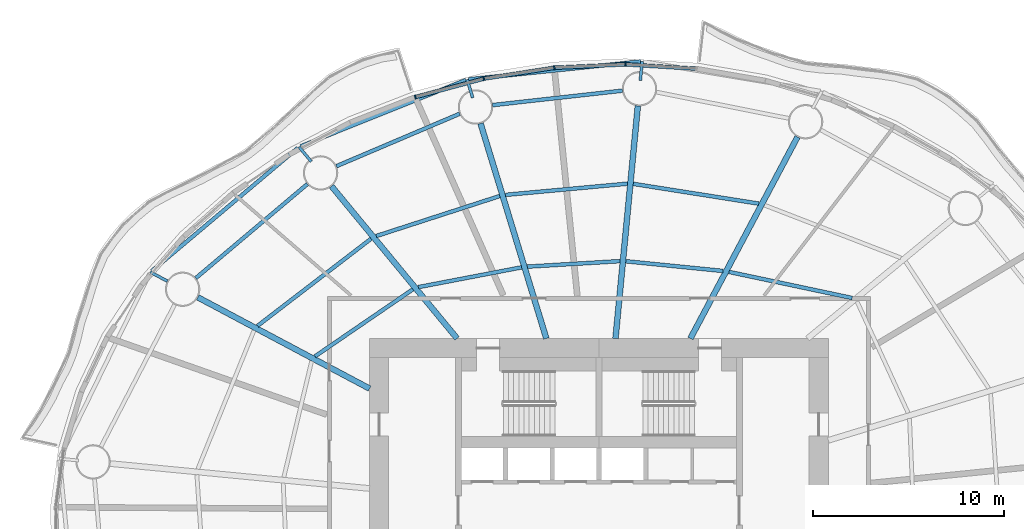
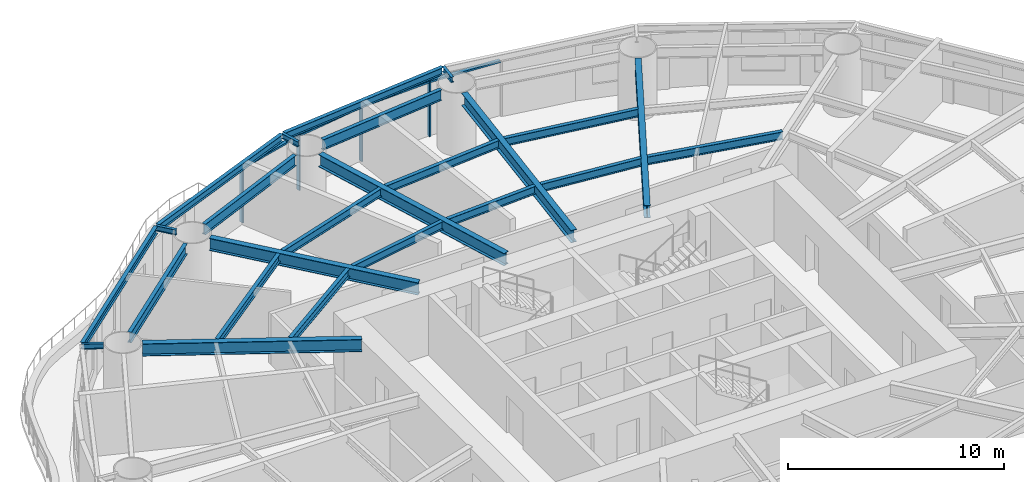
# One storey, part 5 of 16: 24 beams, 8 members, 4 elements without a shape of their own.
"""IFC4 building model written with IfcOpenShell, lengths in metres."""

from ifc_helpers import new_model, si_unit, direction, frame, origin, origin_2d, place, context, subcontext, project, spatial, rectangle, i_section, extrude, material, material_profile, profile_set, type_object, element, aggregate, save


model = new_model("IFC4")

# Units and contexts
model_context = context("Model", 3, precision=1e-05, world=origin(), true_north=direction((0.0, 1.0)))
body_context = subcontext(model_context, "Body", "Model", "MODEL_VIEW")
ifc_project = project(units=[si_unit("LENGTHUNIT", "METRE"), si_unit("AREAUNIT", "SQUARE_METRE"), si_unit("VOLUMEUNIT", "CUBIC_METRE"), si_unit("PLANEANGLEUNIT", "RADIAN"), si_unit("MASSUNIT", "GRAM", prefix="KILO")], contexts=[model_context])

# Site, building, storey
site_placement = place(None, origin())
site = spatial("IfcSite", under=ifc_project, at=site_placement, CompositionType="ELEMENT")
building_placement = place(site_placement, origin())
building = spatial("IfcBuilding", under=site, at=building_placement, Name="Vermilion Reach Broadcast Tower", CompositionType="ELEMENT")
storey_placement = place(building_placement, frame((0.0, 0.0, 58.199951171875)))
storey = spatial("IfcBuildingStorey", under=building, at=storey_placement, Name="L11", CompositionType="ELEMENT", Elevation=58.199951171875)

# Beams
ifc_material_1 = material(Name="Steel S355J2", Category="steel")
ifc_material_profile_1 = material_profile(ifc_material_1, i_section(OverallWidth=0.199951171875, OverallDepth=0.39990234375, WebThickness=0.008056640625, FlangeThickness=0.012939453125, at=origin_2d()), Name="S355J2 HN 400x200x8x13")
ifc_profile_set_1 = profile_set([ifc_material_profile_1], Name="Steel S355J2")
beam_type_1 = type_object("IfcBeamType", Name="EB1 HN 400x200x8x13", PredefinedType="BEAM", material=ifc_profile_set_1)
beam_1_placement = place(storey_placement, frame((-3.817626953125, 23.489990234375, 3.35009765625), z_axis=(-0.994653842514, -0.103265355142, 0.0), x_axis=(0.103265355142, -0.994653842514, 0.0)))
element("IfcBeam", 1, at=beam_1_placement, inside=storey, type_object=beam_type_1, Name="Edge beam EB1-04", PredefinedType="BEAM", context=body_context, shape_type="SweptSolid", body=[
    extrude(i_section(OverallWidth=0.199951171875, OverallDepth=0.39990234375, WebThickness=0.008056640625, FlangeThickness=0.012939453125, at=origin_2d()), origin(), (0.0, 0.0, 1.0), 9.052490234375),
])
beam_2_placement = place(storey_placement, frame((-12.967529296875, 22.519287109375, 3.35009765625), z_axis=(-0.928160049429, -0.372181303457, 0.0), x_axis=(0.372181303457, -0.928160049429, 0.0)))
element("IfcBeam", 2, at=beam_2_placement, inside=storey, type_object=beam_type_1, Name="Edge beam EB1-05", PredefinedType="BEAM", context=body_context, shape_type="SweptSolid", body=[
    extrude(i_section(OverallWidth=0.199951171875, OverallDepth=0.39990234375, WebThickness=0.008056640625, FlangeThickness=0.012939453125, at=origin_2d()), origin(), (0.0, 0.0, 1.0), 9.3154296875),
])
beam_3_placement = place(storey_placement, frame((-21.744140625, 18.974609375, 3.35009765625), z_axis=(-0.764932059921, -0.644110971577, 0.0), x_axis=(0.644110971577, -0.764932059921, 0.0)))
element("IfcBeam", 3, at=beam_3_placement, inside=storey, type_object=beam_type_1, Name="Edge beam EB1-06", PredefinedType="BEAM", context=body_context, shape_type="SweptSolid", body=[
    extrude(i_section(OverallWidth=0.199951171875, OverallDepth=0.39990234375, WebThickness=0.008056640625, FlangeThickness=0.012939453125, at=origin_2d()), origin(), (0.0, 0.0, 1.0), 10.014404296875),
])
ifc_material_2 = material(Name="Steel S355J2", Category="steel")
ifc_material_profile_2 = material_profile(ifc_material_2, i_section(OverallWidth=0.300048828125, OverallDepth=0.699951171875, WebThickness=0.012939453125, FlangeThickness=0.02392578125, at=origin_2d()), Name="S355J2 HN 700x300x13x24")
ifc_profile_set_2 = profile_set([ifc_material_profile_2], Name="Steel S355J2")
beam_type_2 = type_object("IfcBeamType", Name="G1 HN 700x300x13x24", PredefinedType="BEAM", material=ifc_profile_set_2)
beam_4_placement = place(storey_placement, frame((-1.216552734375, 9.0, 3.199951171875), z_axis=(0.469312182262, 0.883032318537, 0.0), x_axis=(-0.883032318537, 0.469312182262, 0.0)))
element("IfcBeam", 4, at=beam_4_placement, inside=storey, type_object=beam_type_2, Name="Girder G1-03", PredefinedType="BEAM", context=body_context, shape_type="SweptSolid", body=[
    extrude(i_section(OverallWidth=0.300048828125, OverallDepth=0.699951171875, WebThickness=0.012939453125, FlangeThickness=0.02392578125, at=origin_2d()), origin(), (0.0, 0.0, 1.0), 11.94091796875),
])
beam_5_placement = place(storey_placement, frame((-5.135009765625, 9.0, 3.199951171875), z_axis=(0.09566673912, 0.995413419151, 0.0), x_axis=(-0.995413419151, 0.09566673912, 0.0)))
element("IfcBeam", 5, at=beam_5_placement, inside=storey, type_object=beam_type_2, Name="Girder G1-04", PredefinedType="BEAM", context=body_context, shape_type="SweptSolid", body=[
    extrude(i_section(OverallWidth=0.300048828125, OverallDepth=0.699951171875, WebThickness=0.012939453125, FlangeThickness=0.02392578125, at=origin_2d()), origin(), (0.0, 0.0, 1.0), 12.22412109375),
])
beam_6_placement = place(storey_placement, frame((-8.753173828125, 9.0, 3.199951171875), z_axis=(-0.292542302886, 0.95625258223, 0.0), x_axis=(-0.95625258223, -0.292542302886, 0.0)))
element("IfcBeam", 6, at=beam_6_placement, inside=storey, type_object=beam_type_2, Name="Girder G1-05", PredefinedType="BEAM", context=body_context, shape_type="SweptSolid", body=[
    extrude(i_section(OverallWidth=0.300048828125, OverallDepth=0.699951171875, WebThickness=0.012939453125, FlangeThickness=0.02392578125, at=origin_2d()), origin(), (0.0, 0.0, 1.0), 11.76220703125),
])
beam_7_placement = place(storey_placement, frame((-13.421630859375, 9.0, 3.199951171875), z_axis=(-0.636215165107, 0.77151167437, 0.0), x_axis=(-0.77151167437, -0.636215165107, 0.0)))
element("IfcBeam", 7, at=beam_7_placement, inside=storey, type_object=beam_type_2, Name="Girder G1-06", PredefinedType="BEAM", context=body_context, shape_type="SweptSolid", body=[
    extrude(i_section(OverallWidth=0.300048828125, OverallDepth=0.699951171875, WebThickness=0.012939453125, FlangeThickness=0.02392578125, at=origin_2d()), origin(), (0.0, 0.0, 1.0), 10.3251953125),
])
beam_8_placement = place(storey_placement, frame((-18.0, 6.3779296875, 3.199951171875), z_axis=(-0.883032139419, 0.469312519279, 0.0), x_axis=(-0.469312519279, -0.883032139419, 0.0)))
element("IfcBeam", 8, at=beam_8_placement, inside=storey, type_object=beam_type_2, Name="Girder G1-07", PredefinedType="BEAM", context=body_context, shape_type="SweptSolid", body=[
    extrude(i_section(OverallWidth=0.300048828125, OverallDepth=0.699951171875, WebThickness=0.012939453125, FlangeThickness=0.02392578125, at=origin_2d()), origin(), (0.0, 0.0, 1.0), 10.17529296875),
])
ifc_material_3 = material(Name="Steel S355J2", Category="steel")
ifc_material_profile_3 = material_profile(ifc_material_3, i_section(OverallWidth=0.14990234375, OverallDepth=0.300048828125, WebThickness=0.006591796875, FlangeThickness=0.009033203125, at=origin_2d()), Name="S355J2 HN 300x150x6.5x9")
ifc_profile_set_3 = profile_set([ifc_material_profile_3], Name="Steel S355J2")
beam_type_3 = type_object("IfcBeamType", Name="GS1 HN 300x150x6.5x9", PredefinedType="BEAM", material=ifc_profile_set_3)
for number, where, z_axis, x_axis, name in (
    (9, (-3.837158203125, 22.502685546875, 3.400146484375), (0.095707754417, 0.995409476419, 0.0), (-0.995409476419, 0.095707754417, 0.0), "Cantilever stub GS1-04"),
    (10, (-12.605224609375, 21.591064453125, 3.400146484375), (-0.292472824594, 0.95627383467, 0.0), (-0.95627383467, -0.292472824594, 0.0), "Cantilever stub GS1-05"),
    (11, (-21.050537109375, 18.25146484375, 3.400146484375), (-0.636237674108, 0.771493112118, 0.0), (-0.771493112118, -0.636237674108, 0.0), "Cantilever stub GS1-06"),
):
    element("IfcBeam", number, at=place(storey_placement, frame(where, z_axis=z_axis, x_axis=x_axis)), inside=storey, type_object=beam_type_3, Name=name, PredefinedType="BEAM", context=body_context, shape_type="SweptSolid", body=[
        extrude(i_section(OverallWidth=0.14990234375, OverallDepth=0.300048828125, WebThickness=0.006591796875, FlangeThickness=0.009033203125, at=origin_2d()), origin(), (0.0, 0.0, 1.0), 1.0),
    ])
beam_9_placement = place(storey_placement, frame((-28.574462890625, 11.998046875, 3.400146484375), z_axis=(-0.883081287803, 0.469220032747, 0.0), x_axis=(-0.469220032747, -0.883081287803, 0.0)))
element("IfcBeam", 12, at=beam_9_placement, inside=storey, type_object=beam_type_3, Name="Cantilever stub GS1-07", PredefinedType="BEAM", context=body_context, shape_type="SweptSolid", body=[
    extrude(i_section(OverallWidth=0.14990234375, OverallDepth=0.300048828125, WebThickness=0.006591796875, FlangeThickness=0.009033203125, at=origin_2d()), origin(), (0.0, 0.0, 1.0), 1.010009765625),
])
ifc_material_4 = material(Name="Steel S355J2", Category="steel")
ifc_material_profile_4 = material_profile(ifc_material_4, i_section(OverallWidth=0.199951171875, OverallDepth=0.60009765625, WebThickness=0.010986328125, FlangeThickness=0.01708984375, at=origin_2d()), Name="S355J2 HN 600x200x11x17")
ifc_profile_set_4 = profile_set([ifc_material_profile_4], Name="Steel S355J2")
beam_type_4 = type_object("IfcBeamType", Name="RB1 HN 600x200x11x17", PredefinedType="BEAM", material=ifc_profile_set_4)
beam_10_placement = place(storey_placement, frame((-4.77392578125, 21.964111328125, 3.25), z_axis=(-0.993851439324, -0.110721798009, 0.0), x_axis=(0.110721798009, -0.993851439324, 0.0)))
element("IfcBeam", 13, at=beam_10_placement, inside=storey, type_object=beam_type_4, Name="Ring beam RB1-04", PredefinedType="BEAM", context=body_context, shape_type="SweptSolid", body=[
    extrude(i_section(OverallWidth=0.199951171875, OverallDepth=0.60009765625, WebThickness=0.010986328125, FlangeThickness=0.01708984375, at=origin_2d()), origin(), (0.0, 0.0, 1.0), 6.8310546875),
])
beam_11_placement = place(storey_placement, frame((-13.28564453125, 20.755859375, 3.25), z_axis=(-0.920220846584, -0.391399531825, 0.0), x_axis=(0.391399531825, -0.920220846584, 0.0)))
element("IfcBeam", 14, at=beam_11_placement, inside=storey, type_object=beam_type_4, Name="Ring beam RB1-05", PredefinedType="BEAM", context=body_context, shape_type="SweptSolid", body=[
    extrude(i_section(OverallWidth=0.199951171875, OverallDepth=0.60009765625, WebThickness=0.010986328125, FlangeThickness=0.01708984375, at=origin_2d()), origin(), (0.0, 0.0, 1.0), 7.008544921875),
])
beam_12_placement = place(storey_placement, frame((-21.251220703125, 17.080322265625, 3.25), z_axis=(-0.764512441084, -0.6446089725, 0.0), x_axis=(0.6446089725, -0.764512441084, 0.0)))
element("IfcBeam", 15, at=beam_12_placement, inside=storey, type_object=beam_type_4, Name="Ring beam RB1-06", PredefinedType="BEAM", context=body_context, shape_type="SweptSolid", body=[
    extrude(i_section(OverallWidth=0.199951171875, OverallDepth=0.60009765625, WebThickness=0.010986328125, FlangeThickness=0.01708984375, at=origin_2d()), origin(), (0.0, 0.0, 1.0), 7.6396484375),
])
ifc_material_5 = material(Name="Steel S355J2", Category="steel")
ifc_material_profile_5 = material_profile(ifc_material_5, i_section(OverallWidth=0.199951171875, OverallDepth=0.449951171875, WebThickness=0.009033203125, FlangeThickness=0.013916015625, at=origin_2d()), Name="S355J2 HN 450x200x9x14")
ifc_profile_set_5 = profile_set([ifc_material_profile_5], Name="Steel S355J2")
beam_type_5 = type_object("IfcBeamType", Name="SB1 HN 450x200x9x14", PredefinedType="BEAM", material=ifc_profile_set_5)
beam_13_placement = place(storey_placement, frame((7.24560546875, 11.1171875, 3.324951171875), z_axis=(-0.978270372412, 0.207333254596, 0.0), x_axis=(-0.207333254596, -0.978270372412, 0.0)))
element("IfcBeam", 16, at=beam_13_placement, inside=storey, type_object=beam_type_5, Name="Secondary beam SB1-02-1", PredefinedType="BEAM", context=body_context, shape_type="SweptSolid", body=[
    extrude(i_section(OverallWidth=0.199951171875, OverallDepth=0.449951171875, WebThickness=0.009033203125, FlangeThickness=0.013916015625, at=origin_2d()), origin(), (0.0, 0.0, 1.0), 6.584716796875),
])
beam_14_placement = place(storey_placement, frame((0.490234375, 12.531005859375, 3.324951171875), z_axis=(-0.995010199331, 0.099773259079, 0.0), x_axis=(-0.099773259079, -0.995010199331, 0.0)))
element("IfcBeam", 17, at=beam_14_placement, inside=storey, type_object=beam_type_5, Name="Secondary beam SB1-03-1", PredefinedType="BEAM", context=body_context, shape_type="SweptSolid", body=[
    extrude(i_section(OverallWidth=0.199951171875, OverallDepth=0.449951171875, WebThickness=0.009033203125, FlangeThickness=0.013916015625, at=origin_2d()), origin(), (0.0, 0.0, 1.0), 5.111572265625),
])
beam_15_placement = place(storey_placement, frame((2.36279296875, 16.05419921875, 3.324951171875), z_axis=(-0.987829548379, 0.155540294938, 0.0), x_axis=(-0.155540294938, -0.987829548379, 0.0)))
element("IfcBeam", 18, at=beam_15_placement, inside=storey, type_object=beam_type_5, Name="Secondary beam SB1-03-2", PredefinedType="BEAM", context=body_context, shape_type="SweptSolid", body=[
    extrude(i_section(OverallWidth=0.199951171875, OverallDepth=0.449951171875, WebThickness=0.009033203125, FlangeThickness=0.013916015625, at=origin_2d()), origin(), (0.0, 0.0, 1.0), 6.650634765625),
])
beam_16_placement = place(storey_placement, frame((-4.896728515625, 13.046875, 3.324951171875), z_axis=(-0.99823410974, -0.059402543307, 0.0), x_axis=(0.059402543307, -0.99823410974, 0.0)))
element("IfcBeam", 19, at=beam_16_placement, inside=storey, type_object=beam_type_5, Name="Secondary beam SB1-04-1", PredefinedType="BEAM", context=body_context, shape_type="SweptSolid", body=[
    extrude(i_section(OverallWidth=0.199951171875, OverallDepth=0.449951171875, WebThickness=0.009033203125, FlangeThickness=0.013916015625, at=origin_2d()), origin(), (0.0, 0.0, 1.0), 4.85791015625),
])
beam_17_placement = place(storey_placement, frame((-4.50732421875, 17.09814453125, 3.324951171875), z_axis=(-0.995818616382, -0.091352521952, 0.0), x_axis=(0.091352521952, -0.995818616382, 0.0)))
element("IfcBeam", 20, at=beam_17_placement, inside=storey, type_object=beam_type_5, Name="Secondary beam SB1-04-2", PredefinedType="BEAM", context=body_context, shape_type="SweptSolid", body=[
    extrude(i_section(OverallWidth=0.199951171875, OverallDepth=0.449951171875, WebThickness=0.009033203125, FlangeThickness=0.013916015625, at=origin_2d()), origin(), (0.0, 0.0, 1.0), 6.4140625),
])
beam_18_placement = place(storey_placement, frame((-10.04833984375, 12.720703125, 3.324951171875), z_axis=(-0.982151348822, -0.188092339045, 0.0), x_axis=(0.188092339045, -0.982151348822, 0.0)))
element("IfcBeam", 21, at=beam_18_placement, inside=storey, type_object=beam_type_5, Name="Secondary beam SB1-05-1", PredefinedType="BEAM", context=body_context, shape_type="SweptSolid", body=[
    extrude(i_section(OverallWidth=0.199951171875, OverallDepth=0.449951171875, WebThickness=0.009033203125, FlangeThickness=0.013916015625, at=origin_2d()), origin(), (0.0, 0.0, 1.0), 5.4931640625),
])
beam_19_placement = place(storey_placement, frame((-11.18994140625, 16.4521484375, 3.324951171875), z_axis=(-0.951332300844, -0.308166924523, 0.0), x_axis=(0.308166924523, -0.951332300844, 0.0)))
element("IfcBeam", 22, at=beam_19_placement, inside=storey, type_object=beam_type_5, Name="Secondary beam SB1-05-2", PredefinedType="BEAM", context=body_context, shape_type="SweptSolid", body=[
    extrude(i_section(OverallWidth=0.199951171875, OverallDepth=0.449951171875, WebThickness=0.009033203125, FlangeThickness=0.013916015625, at=origin_2d()), origin(), (0.0, 0.0, 1.0), 6.787841796875),
])
beam_20_placement = place(storey_placement, frame((-15.735595703125, 11.5703125, 3.324951171875), z_axis=(-0.825140253447, -0.564927926502, 0.0), x_axis=(0.564927926502, -0.825140253447, 0.0)))
element("IfcBeam", 23, at=beam_20_placement, inside=storey, type_object=beam_type_5, Name="Secondary beam SB1-06-1", PredefinedType="BEAM", context=body_context, shape_type="SweptSolid", body=[
    extrude(i_section(OverallWidth=0.199951171875, OverallDepth=0.449951171875, WebThickness=0.009033203125, FlangeThickness=0.013916015625, at=origin_2d()), origin(), (0.0, 0.0, 1.0), 6.20458984375),
])
beam_21_placement = place(storey_placement, frame((-17.920166015625, 14.21923828125, 3.324951171875), z_axis=(-0.793349617473, -0.60876628065, 0.0), x_axis=(0.60876628065, -0.793349617473, 0.0)))
element("IfcBeam", 24, at=beam_21_placement, inside=storey, type_object=beam_type_5, Name="Secondary beam SB1-06-2", PredefinedType="BEAM", context=body_context, shape_type="SweptSolid", body=[
    extrude(i_section(OverallWidth=0.199951171875, OverallDepth=0.449951171875, WebThickness=0.009033203125, FlangeThickness=0.013916015625, at=origin_2d()), origin(), (0.0, 0.0, 1.0), 7.486328125),
])

# Curtain wall, member
ifc_material_6 = material(Name="Low-e laminated clear glass in aluminium frame", Category="aluminium")
curtain_wall_type = type_object("IfcCurtainWallType", Name="Slot curtain wall", PredefinedType="NOTDEFINED", material=ifc_material_6)
placement = place(storey_placement, origin())
curtain_wall_1 = element("IfcCurtainWall", 25, at=placement, inside=storey, type_object=curtain_wall_type, Name="Slot curtain wall L11 11", PredefinedType="NOTDEFINED")
ifc_material_7 = material(Name="Anodised aluminium", Category="aluminium")
ifc_material_profile_6 = material_profile(ifc_material_7, rectangle(XDim=0.199951171875, YDim=0.080078125, at=origin_2d()), Name="Slot mullion 80 x 200")
ifc_profile_set_6 = profile_set([ifc_material_profile_6], Name="Anodised aluminium")
member_type_1 = type_object("IfcMemberType", Name="Slot mullion 80 x 200", PredefinedType="MULLION", material=ifc_profile_set_6)
member_1_placement = place(storey_placement, frame((-4.611083984375, 23.340087890625, 0.0), z_axis=(0.0, 0.0, 1.0), x_axis=(-0.007084852172, -0.99997490212, 0.0)))
member_1 = element("IfcMember", 26, at=member_1_placement, type_object=member_type_1, Name="Slot mullion L11 11", PredefinedType="MULLION", context=body_context, shape_type="SweptSolid", body=[
    extrude(rectangle(XDim=0.199951171875, YDim=0.080078125, at=origin_2d()), origin(), (0.0, 0.0, 1.0), 3.150146484375),
])

curtain_wall_2 = element("IfcCurtainWall", 27, at=placement, inside=storey, type_object=curtain_wall_type, Name="Slot curtain wall L11 12", PredefinedType="NOTDEFINED")
member_2_placement = place(storey_placement, frame((-8.336669921875, 23.16552734375, 0.0), z_axis=(0.0, 0.0, 1.0), x_axis=(0.100361698372, -0.994951018644, 0.0)))
member_2 = element("IfcMember", 28, at=member_2_placement, type_object=member_type_1, Name="Slot mullion L11 12", PredefinedType="MULLION", context=body_context, shape_type="SweptSolid", body=[
    extrude(rectangle(XDim=0.199951171875, YDim=0.080078125, at=origin_2d()), origin(), (0.0, 0.0, 1.0), 3.150146484375),
])

# Curtain wall, members
curtain_wall_3 = element("IfcCurtainWall", 29, at=placement, inside=storey, type_object=curtain_wall_type, Name="Slot curtain wall L11 13", PredefinedType="NOTDEFINED")
member_3_placement = place(storey_placement, frame((-12.022216796875, 22.592529296875, 0.0), z_axis=(0.0, 0.0, 1.0), x_axis=(0.206647011031, -0.978415562444, 0.0)))
member_3 = element("IfcMember", 30, at=member_3_placement, type_object=member_type_1, Name="Slot mullion L11 13", PredefinedType="MULLION", context=body_context, shape_type="SweptSolid", body=[
    extrude(rectangle(XDim=0.199951171875, YDim=0.080078125, at=origin_2d()), origin(), (0.0, 0.0, 1.0), 3.150146484375),
])
member_4_placement = place(storey_placement, frame((-15.603759765625, 21.6318359375, 0.0), z_axis=(0.0, 0.0, 1.0), x_axis=(0.311688190908, -0.950184440858, 0.0)))
member_4 = element("IfcMember", 31, at=member_4_placement, type_object=member_type_1, Name="Slot mullion L11 14", PredefinedType="MULLION", context=body_context, shape_type="SweptSolid", body=[
    extrude(rectangle(XDim=0.199951171875, YDim=0.080078125, at=origin_2d()), origin(), (0.0, 0.0, 1.0), 3.150146484375),
])

# Curtain wall, member
curtain_wall_4 = element("IfcCurtainWall", 32, at=placement, inside=storey, type_object=curtain_wall_type, Name="Slot curtain wall L11 10", PredefinedType="NOTDEFINED")
ifc_material_8 = material(Name="Anodised aluminium", Category="aluminium")
ifc_material_profile_7 = material_profile(ifc_material_8, rectangle(XDim=0.199951171875, YDim=0.10009765625, at=origin_2d()), Name="Slot transom 200 x 100")
ifc_profile_set_7 = profile_set([ifc_material_profile_7], Name="Anodised aluminium")
member_type_2 = type_object("IfcMemberType", Name="Slot transom 200 x 100", PredefinedType="USERDEFINED", material=ifc_profile_set_7)
member_5_placement = place(storey_placement, frame((-0.94970703125, 23.116455078125, 3.10009765625), z_axis=(-0.998140068725, 0.060962309712, 0.0), x_axis=(-0.060962309712, -0.998140068725, 0.0)))
member_5 = element("IfcMember", 33, at=member_5_placement, type_object=member_type_2, Name="Slot transom L11 10.1", ObjectType="TRANSOM", PredefinedType="USERDEFINED", context=body_context, shape_type="SweptSolid", body=[
    extrude(rectangle(XDim=0.199951171875, YDim=0.10009765625, at=origin_2d()), origin(), (0.0, 0.0, 1.0), 3.62841796875),
])
aggregate(curtain_wall_4, [member_5])

# Member
member_6_placement = place(storey_placement, frame((-4.651123046875, 23.33837890625, 3.10009765625), z_axis=(-0.99889999449, -0.046891374549, 0.0), x_axis=(0.046891374549, -0.99889999449, 0.0)))
member_6 = element("IfcMember", 34, at=member_6_placement, type_object=member_type_2, Name="Slot transom L11 11.1", ObjectType="TRANSOM", PredefinedType="USERDEFINED", context=body_context, shape_type="SweptSolid", body=[
    extrude(rectangle(XDim=0.199951171875, YDim=0.10009765625, at=origin_2d()), origin(), (0.0, 0.0, 1.0), 3.649658203125),
])

aggregate(curtain_wall_1, [member_1, member_6])

member_7_placement = place(storey_placement, frame((-8.376220703125, 23.1591796875, 3.10009765625), z_axis=(-0.988145575861, -0.153519773666, 0.0), x_axis=(0.153519773666, -0.988145575861, 0.0)))
member_7 = element("IfcMember", 35, at=member_7_placement, type_object=member_type_2, Name="Slot transom L11 12.1", ObjectType="TRANSOM", PredefinedType="USERDEFINED", context=body_context, shape_type="SweptSolid", body=[
    extrude(rectangle(XDim=0.199951171875, YDim=0.10009765625, at=origin_2d()), origin(), (0.0, 0.0, 1.0), 3.649658203125),
])

aggregate(curtain_wall_2, [member_2, member_7])

member_8_placement = place(storey_placement, frame((-12.060791015625, 22.582275390625, 3.10009765625), z_axis=(-0.965844069458, -0.259123973212, 0.0), x_axis=(0.259123973212, -0.965844069458, 0.0)))
member_8 = element("IfcMember", 36, at=member_8_placement, type_object=member_type_2, Name="Slot transom L11 13.1", ObjectType="TRANSOM", PredefinedType="USERDEFINED", context=body_context, shape_type="SweptSolid", body=[
    extrude(rectangle(XDim=0.199951171875, YDim=0.10009765625, at=origin_2d()), origin(), (0.0, 0.0, 1.0), 3.62841796875),
])

aggregate(curtain_wall_3, [member_3, member_4, member_8])

save(model, "model.ifc")
